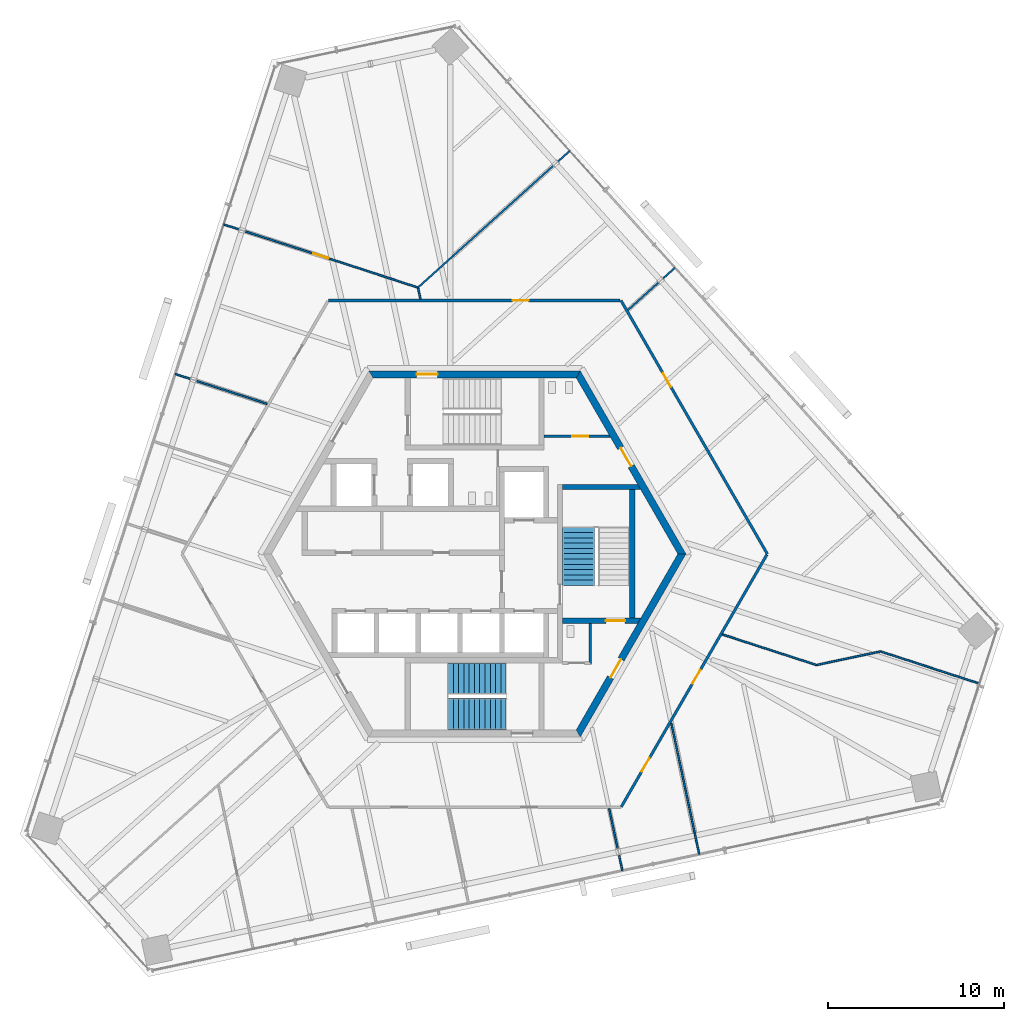
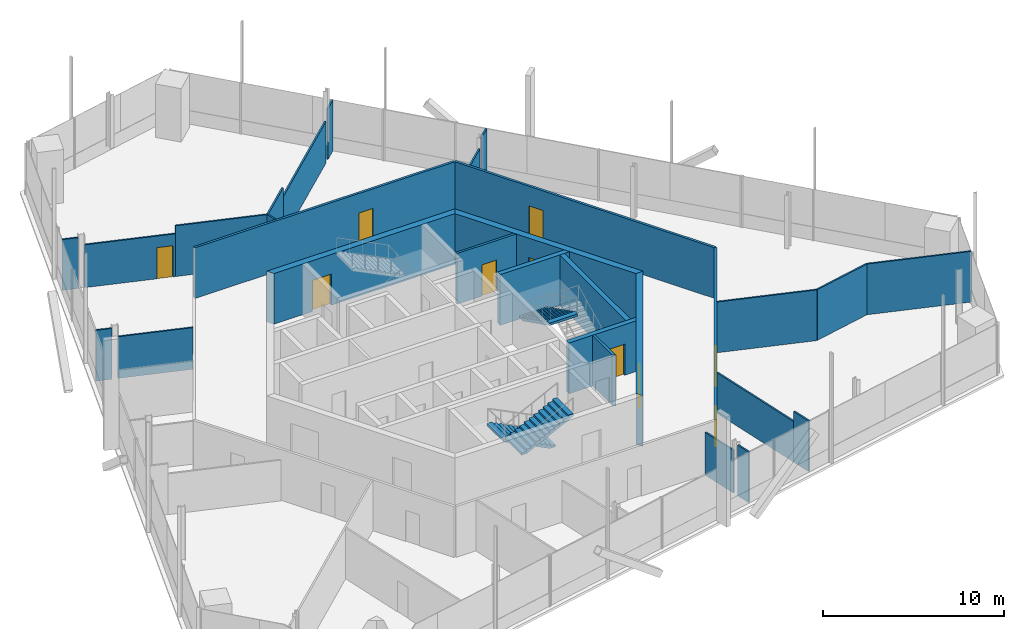
# One storey, part 12 of 17: 29 walls, 10 doors, 3 stair flights, 10 openings, 2 elements without a shape of their own.
"""IFC4 building model written with IfcOpenShell, lengths in metres."""

from ifc_helpers import new_model, si_unit, direction, frame, frame_2d, origin, place, context, subcontext, project, spatial, polyline, rectangle, outline, extrude, source, transform, mapped, material, layer, layer_set, type_object, element, fill, aggregate, save


model = new_model("IFC4")

# Units and contexts
model_context = context("Model", 3, precision=1e-05, world=origin(), true_north=direction((0.0, 1.0)))
body_context = subcontext(model_context, "Body", "Model", "MODEL_VIEW")
ifc_project = project(units=[si_unit("LENGTHUNIT", "METRE"), si_unit("AREAUNIT", "SQUARE_METRE"), si_unit("VOLUMEUNIT", "CUBIC_METRE"), si_unit("PLANEANGLEUNIT", "RADIAN"), si_unit("MASSUNIT", "GRAM", prefix="KILO")], contexts=[model_context])

# Site, building, storey
site_placement = place(None, origin())
site = spatial("IfcSite", under=ifc_project, at=site_placement, CompositionType="ELEMENT")
building_placement = place(site_placement, origin())
building = spatial("IfcBuilding", under=site, at=building_placement, Name="Triune Harvest Tower", CompositionType="ELEMENT")
storey_placement = place(building_placement, frame((0.0, 0.0, 281.10009765625)))
storey = spatial("IfcBuildingStorey", under=building, at=storey_placement, Name="L74", CompositionType="ELEMENT", Elevation=281.10009765625)

# Wall, opening, door
ifc_material_1 = material(Name="Concrete masonry unit", Category="masonry")
ifc_layer_1 = layer(ifc_material_1, 0.14990234375)
ifc_layer_set_1 = layer_set([ifc_layer_1], Name="Concrete masonry unit")
wall_type_1 = type_object("IfcWallType", Name="Block partition 150 unrated", PredefinedType="PARTITIONING", material=ifc_layer_set_1)
wall_1_placement = place(storey_placement, frame((3.949951171875, 6.675048828125, 0.0), z_axis=(0.0, 0.0, 1.0), x_axis=(1.0, 0.0, 0.0)))
wall_1 = element("IfcWall", 1, at=wall_1_placement, inside=storey, type_object=wall_type_1, Name="Wc women south wall", PredefinedType="PARTITIONING", context=body_context, shape_type="SweptSolid", body=[
    extrude(outline(polyline([(0.0, -0.074951171875), (0.0, 0.074951171875), (3.693359375, 0.074951171875), (3.77978515625, -0.074951171875), (0.0, -0.074951171875)])), origin(), (0.0, 0.0, 1.0), 3.419921875),
])
opening_1_placement = place(wall_1_placement, frame((1.60009765625, 0.0, 0.0)))
opening_1 = element("IfcOpeningElement", 2, at=opening_1_placement, cuts=wall_1, Name="Opening CD-WW", PredefinedType="OPENING", context=body_context, shape_type="SweptSolid", body=[
    extrude(rectangle(XDim=0.89990234375, YDim=2.10009765625, at=frame_2d((0.449951171875, 1.050048828125))), frame((0.0, 0.0849609375, 0.0), z_axis=(0.0, -1.0, 0.0), x_axis=(1.0, 0.0, 0.0)), (0.0, 0.0, 1.0), 0.169921875),
])
ifc_material_2 = material(Name="Timber C24", Category="wood")
door_type_1 = type_object("IfcDoorType", Name="WC door 900", OperationType="SINGLE_SWING_LEFT", PredefinedType="DOOR", material=ifc_material_2)
door_1_placement = place(opening_1_placement, origin())
door_1 = element("IfcDoor", 3, at=door_1_placement, inside=storey, type_object=door_type_1, Name="Door CD-WW", OperationType="SINGLE_SWING_LEFT", OverallHeight=2.10009765625, OverallWidth=0.89990234375, PredefinedType="DOOR", context=body_context, shape_type="SweptSolid", body=[
    extrude(rectangle(XDim=0.89990234375, YDim=2.10009765625, at=frame_2d((0.449951171875, 1.050048828125))), frame((0.0, 0.02490234375, 0.0), z_axis=(0.0, -1.0, 0.0), x_axis=(1.0, 0.0, 0.0)), (0.0, 0.0, 1.0), 0.050048828125),
])
fill(opening_1, door_1)

# Walls
wall_2_placement = place(storey_placement, frame((6.574951171875, -6.18994140625, 0.0), z_axis=(0.0, 0.0, 1.0), x_axis=(0.0, 1.0, 0.0)))
element("IfcWall", 4, at=wall_2_placement, inside=storey, type_object=wall_type_1, Name="Wc acc east wall", PredefinedType="PARTITIONING", context=body_context, shape_type="SweptSolid", body=[
    extrude(outline(polyline([(-0.074951171875, -0.074951171875), (2.239990234375, -0.074951171875), (2.239990234375, 0.074951171875), (0.074951171875, 0.074951171875), (-0.074951171875, -0.074951171875)])), origin(), (0.0, 0.0, 1.0), 3.419921875),
])
ifc_material_3 = material(Name="Concrete 70 MPa", Category="concrete")
ifc_layer_2 = layer(ifc_material_3, 0.300048828125)
ifc_layer_set_2 = layer_set([ifc_layer_2], Name="Concrete 70 MPa")
wall_type_2 = type_object("IfcWallType", Name="Core wall 300", PredefinedType="SHEAR", material=ifc_layer_set_2)
wall_3_placement = place(storey_placement, frame((5.0, 3.800048828125, 0.0), z_axis=(0.0, 0.0, 1.0), x_axis=(1.0, 0.0, 0.0)))
element("IfcWall", 5, at=wall_3_placement, inside=storey, type_object=wall_type_2, Name="Stair e north wall", PredefinedType="SHEAR", context=body_context, shape_type="SweptSolid", body=[
    extrude(outline(polyline([(0.0, -0.14990234375), (0.0, 0.14990234375), (4.260009765625, 0.14990234375), (4.43310546875, -0.14990234375), (0.0, -0.14990234375)])), origin(), (0.0, 0.0, 1.0), 3.419921875),
])

# Wall, opening, door
wall_4_placement = place(storey_placement, frame((5.0, -3.800048828125, 0.0), z_axis=(0.0, 0.0, 1.0), x_axis=(1.0, 0.0, 0.0)))
wall_4 = element("IfcWall", 6, at=wall_4_placement, inside=storey, type_object=wall_type_2, Name="Stair e south wall", PredefinedType="SHEAR", context=body_context, shape_type="SweptSolid", body=[
    extrude(outline(polyline([(0.0, -0.14990234375), (0.0, 0.14990234375), (4.43310546875, 0.14990234375), (4.260009765625, -0.14990234375), (0.0, -0.14990234375)])), origin(), (0.0, 0.0, 1.0), 3.419921875),
])
opening_2_placement = place(wall_4_placement, frame((2.449951171875, 0.0, 0.0)))
opening_2 = element("IfcOpeningElement", 7, at=opening_2_placement, cuts=wall_4, Name="Opening CD-S3D", PredefinedType="OPENING", context=body_context, shape_type="SweptSolid", body=[
    extrude(rectangle(XDim=1.10009765625, YDim=2.10009765625, at=frame_2d((0.550048828125, 1.050048828125))), frame((0.0, 0.16015625, 0.0), z_axis=(0.0, -1.0, 0.0), x_axis=(1.0, 0.0, 0.0)), (0.0, 0.0, 1.0), 0.320068359375),
])
ifc_material_4 = material(Name="Steel S235", Category="steel")
door_type_2 = type_object("IfcDoorType", Name="Stair door 1100 FD120", OperationType="SINGLE_SWING_LEFT", PredefinedType="DOOR", material=ifc_material_4)
door_2_placement = place(opening_2_placement, frame((1.10009765625, 0.0, 0.0), z_axis=(0.0, 0.0, 1.0), x_axis=(-1.0, 0.0, 0.0)))
door_2 = element("IfcDoor", 8, at=door_2_placement, inside=storey, type_object=door_type_2, Name="Door CD-S3D", OperationType="SINGLE_SWING_RIGHT", OverallHeight=2.10009765625, OverallWidth=1.10009765625, PredefinedType="DOOR", context=body_context, shape_type="SweptSolid", body=[
    extrude(rectangle(XDim=1.10009765625, YDim=2.10009765625, at=frame_2d((0.550048828125, 1.050048828125))), frame((0.0, 0.02490234375, 0.0), z_axis=(0.0, -1.0, 0.0), x_axis=(1.0, 0.0, 0.0)), (0.0, 0.0, 1.0), 0.050048828125),
])
fill(opening_2, door_2)

# Wall
wall_5_placement = place(storey_placement, frame((8.949951171875, -3.64990234375, 0.0), z_axis=(0.0, 0.0, 1.0), x_axis=(0.0, 1.0, 0.0)))
element("IfcWall", 9, at=wall_5_placement, inside=storey, type_object=wall_type_2, Name="Stair e east wall", PredefinedType="SHEAR", context=body_context, shape_type="SweptSolid", body=[
    extrude(rectangle(XDim=7.2998046875, YDim=0.300048828125, at=frame_2d((3.64990234375, 0.0))), origin(), (0.0, 0.0, 1.0), 3.419921875),
])

# Wall, opening, door
ifc_material_5 = material(Name="Gypsum board on steel studs", Category="steel")
ifc_layer_3 = layer(ifc_material_5, 0.14990234375)
ifc_layer_set_3 = layer_set([ifc_layer_3], Name="Gypsum board on steel studs")
wall_type_3 = type_object("IfcWallType", Name="Fire Partition 150 mm", PredefinedType="PARTITIONING", material=ifc_layer_set_3)
wall_6_placement = place(storey_placement, frame((8.30908203125, 14.392578125, 0.0), z_axis=(0.0, 0.0, 1.0), x_axis=(0.49998143435, -0.866036122402, 0.0)))
wall_6 = element("IfcWall", 10, at=wall_6_placement, inside=storey, type_object=wall_type_3, Name="Partition L74 010", PredefinedType="PARTITIONING", context=body_context, shape_type="SweptSolid", body=[
    extrude(rectangle(XDim=16.619873046875, YDim=0.14990234375, at=frame_2d((8.31005859375, 0.0))), origin(), (0.0, 0.0, 1.0), 3.419921875),
])
opening_3_placement = place(wall_6_placement, frame((4.764404296875, 0.0, 0.0)))
opening_3 = element("IfcOpeningElement", 11, at=opening_3_placement, cuts=wall_6, Name="Opening L74-001", PredefinedType="OPENING", context=body_context, shape_type="SweptSolid", body=[
    extrude(rectangle(XDim=0.89990234375, YDim=2.10009765625, at=frame_2d((0.449951171875, 1.050048828125))), frame((0.0, 0.0849609375, 0.0), z_axis=(0.0, -1.0, 0.0), x_axis=(1.0, 0.0, 0.0)), (0.0, 0.0, 1.0), 0.169921875),
])
ifc_material_6 = material(Name="Timber and steel door set", Category="steel")
door_type_3 = type_object("IfcDoorType", Name="Single leaf door FD30 left hand 900 x 2100", OperationType="SINGLE_SWING_LEFT", PredefinedType="DOOR", material=ifc_material_6)
door_3_placement = place(opening_3_placement, origin())
door_3 = element("IfcDoor", 12, at=door_3_placement, inside=storey, type_object=door_type_3, Name="Door L74-001 Executive Suite 74.01", OperationType="SINGLE_SWING_LEFT", OverallHeight=2.10009765625, OverallWidth=0.89990234375, PredefinedType="DOOR", context=body_context, shape_type="SweptSolid", body=[
    extrude(rectangle(XDim=0.89990234375, YDim=2.10009765625, at=frame_2d((0.449951171875, 1.050048828125))), frame((0.0, 0.02490234375, 0.0), z_axis=(0.0, -1.0, 0.0), x_axis=(1.0, 0.0, 0.0)), (0.0, 0.0, 1.0), 0.050048828125),
])
fill(opening_3, door_3)

wall_7_placement = place(storey_placement, frame((-8.309326171875, 14.392333984375, 0.0), z_axis=(0.0, 0.0, 1.0), x_axis=(1.0, 0.0, 0.0)))
wall_7 = element("IfcWall", 13, at=wall_7_placement, inside=storey, type_object=wall_type_3, Name="Partition L74 022", PredefinedType="PARTITIONING", context=body_context, shape_type="SweptSolid", body=[
    extrude(rectangle(XDim=16.56884765625, YDim=0.14990234375, at=frame_2d((8.284423828125, 0.0))), origin(), (0.0, 0.0, 1.0), 3.419921875),
])
opening_4_placement = place(wall_7_placement, frame((10.46875, 0.0, 0.0)))
opening_4 = element("IfcOpeningElement", 14, at=opening_4_placement, cuts=wall_7, Name="Opening L74-002", PredefinedType="OPENING", context=body_context, shape_type="SweptSolid", body=[
    extrude(rectangle(XDim=0.89990234375, YDim=2.10009765625, at=frame_2d((0.449951171875, 1.050048828125))), frame((0.0, 0.0849609375, 0.0), z_axis=(0.0, -1.0, 0.0), x_axis=(1.0, 0.0, 0.0)), (0.0, 0.0, 1.0), 0.169921875),
])
ifc_material_7 = material(Name="Timber and steel door set", Category="steel")
door_type_4 = type_object("IfcDoorType", Name="Single leaf door FD30 right hand 900 x 2100", OperationType="SINGLE_SWING_RIGHT", PredefinedType="DOOR", material=ifc_material_7)
door_4_placement = place(opening_4_placement, origin())
door_4 = element("IfcDoor", 15, at=door_4_placement, inside=storey, type_object=door_type_4, Name="Door L74-002 Office 74.02", OperationType="SINGLE_SWING_RIGHT", OverallHeight=2.10009765625, OverallWidth=0.89990234375, PredefinedType="DOOR", context=body_context, shape_type="SweptSolid", body=[
    extrude(rectangle(XDim=0.89990234375, YDim=2.10009765625, at=frame_2d((0.449951171875, 1.050048828125))), frame((0.0, 0.02490234375, 0.0), z_axis=(0.0, -1.0, 0.0), x_axis=(1.0, 0.0, 0.0)), (0.0, 0.0, 1.0), 0.050048828125),
])
fill(opening_4, door_4)

# Wall, openings, doors
wall_8_placement = place(storey_placement, frame((8.329345703125, -14.357666015625, 0.0), z_axis=(0.0, 0.0, 1.0), x_axis=(0.500004169409, 0.866022996562, 0.0)))
wall_8 = element("IfcWall", 16, at=wall_8_placement, inside=storey, type_object=wall_type_3, Name="Partition L74 030", PredefinedType="PARTITIONING", context=body_context, shape_type="SweptSolid", body=[
    extrude(rectangle(XDim=16.528564453125, YDim=0.14990234375, at=frame_2d((8.26416015625, 0.0))), origin(), (0.0, 0.0, 1.0), 3.419921875),
])
opening_5_placement = place(wall_8_placement, frame((2.31005859375, 0.0, 0.0)))
opening_5 = element("IfcOpeningElement", 17, at=opening_5_placement, cuts=wall_8, Name="Opening L74-013", PredefinedType="OPENING", context=body_context, shape_type="SweptSolid", body=[
    extrude(rectangle(XDim=0.89990234375, YDim=2.10009765625, at=frame_2d((0.449951171875, 1.050048828125))), frame((0.0, 0.0849609375, 0.0), z_axis=(0.0, -1.0, 0.0), x_axis=(1.0, 0.0, 0.0)), (0.0, 0.0, 1.0), 0.169921875),
])
opening_6_placement = place(wall_8_placement, frame((8.077880859375, 0.0, 0.0)))
opening_6 = element("IfcOpeningElement", 18, at=opening_6_placement, cuts=wall_8, Name="Opening L74-014", PredefinedType="OPENING", context=body_context, shape_type="SweptSolid", body=[
    extrude(rectangle(XDim=0.89990234375, YDim=2.10009765625, at=frame_2d((0.449951171875, 1.050048828125))), frame((0.0, 0.0849609375, 0.0), z_axis=(0.0, -1.0, 0.0), x_axis=(1.0, 0.0, 0.0)), (0.0, 0.0, 1.0), 0.169921875),
])
door_5_placement = place(opening_6_placement, origin())
door_5 = element("IfcDoor", 19, at=door_5_placement, inside=storey, type_object=door_type_3, Name="Door L74-014 Office 74.14", OperationType="SINGLE_SWING_LEFT", OverallHeight=2.10009765625, OverallWidth=0.89990234375, PredefinedType="DOOR", context=body_context, shape_type="SweptSolid", body=[
    extrude(rectangle(XDim=0.89990234375, YDim=2.10009765625, at=frame_2d((0.449951171875, 1.050048828125))), frame((0.0, 0.02490234375, 0.0), z_axis=(0.0, -1.0, 0.0), x_axis=(1.0, 0.0, 0.0)), (0.0, 0.0, 1.0), 0.050048828125),
])
fill(opening_6, door_5)
door_6_placement = place(opening_5_placement, origin())
door_6 = element("IfcDoor", 20, at=door_6_placement, inside=storey, type_object=door_type_4, Name="Door L74-013 Office 74.13", OperationType="SINGLE_SWING_RIGHT", OverallHeight=2.10009765625, OverallWidth=0.89990234375, PredefinedType="DOOR", context=body_context, shape_type="SweptSolid", body=[
    extrude(rectangle(XDim=0.89990234375, YDim=2.10009765625, at=frame_2d((0.449951171875, 1.050048828125))), frame((0.0, 0.02490234375, 0.0), z_axis=(0.0, -1.0, 0.0), x_axis=(1.0, 0.0, 0.0)), (0.0, 0.0, 1.0), 0.050048828125),
])
fill(opening_5, door_6)

# Walls
ifc_material_8 = material(Name="Gypsum board on steel studs", Category="steel")
ifc_layer_4 = layer(ifc_material_8, 0.10009765625)
ifc_layer_set_4 = layer_set([ifc_layer_4], Name="Gypsum board on steel studs")
wall_type_4 = type_object("IfcWallType", Name="Partition 100 mm", PredefinedType="PARTITIONING", material=ifc_layer_set_4)
wall_9_placement = place(storey_placement, frame((-3.2109375, 15.106201171875, 0.0), z_axis=(0.0, 0.0, 1.0), x_axis=(0.207911850433, -0.978147566806, 0.0)))
element("IfcWall", 21, at=wall_9_placement, inside=storey, type_object=wall_type_4, Name="Partition L74 005", PredefinedType="PARTITIONING", context=body_context, shape_type="SweptSolid", body=[
    extrude(rectangle(XDim=0.659912109375, YDim=0.10009765625, at=frame_2d((0.330078125, 0.0))), origin(), (0.0, 0.0, 1.0), 3.419921875),
])
wall_10_placement = place(storey_placement, frame((7.6376953125, -14.461181640625, 0.0), z_axis=(0.0, 0.0, 1.0), x_axis=(0.207954797285, -0.978138437179, 0.0)))
element("IfcWall", 22, at=wall_10_placement, inside=storey, type_object=wall_type_4, Name="Partition L74 006", PredefinedType="PARTITIONING", context=body_context, shape_type="SweptSolid", body=[
    extrude(rectangle(XDim=2.341064453125, YDim=0.10009765625, at=frame_2d((1.17041015625, 0.0))), origin(), (0.0, 0.0, 1.0), 2.8837890625),
])
wall_11_placement = place(storey_placement, frame((8.1953125, -17.083984375, 0.0), z_axis=(0.0, 0.0, 1.0), x_axis=(0.207852373529, -0.978160207133, 0.0)))
element("IfcWall", 23, at=wall_11_placement, inside=storey, type_object=wall_type_4, Name="Partition L74 007", PredefinedType="PARTITIONING", context=body_context, shape_type="SweptSolid", body=[
    extrude(rectangle(XDim=0.9150390625, YDim=0.10009765625, at=frame_2d((0.45751953125, 0.0))), origin(), (0.0, 0.0, 1.0), 3.419921875),
])
wall_12_placement = place(storey_placement, frame((12.494384765625, -15.84033203125, 0.0), z_axis=(0.0, 0.0, 1.0), x_axis=(0.208047433175, -0.97811873796, 0.0)))
element("IfcWall", 24, at=wall_12_placement, inside=storey, type_object=wall_type_4, Name="Partition L74 008a", PredefinedType="PARTITIONING", context=body_context, shape_type="SweptSolid", body=[
    extrude(rectangle(XDim=1.238037109375, YDim=0.10009765625, at=frame_2d((0.619140625, 0.0))), origin(), (0.0, 0.0, 1.0), 3.419921875),
])
wall_13_placement = place(storey_placement, frame((14.060302734375, -4.568359375, 0.0), z_axis=(0.0, 0.0, 1.0), x_axis=(0.951053501337, -0.309026273307, 0.0)))
element("IfcWall", 25, at=wall_13_placement, inside=storey, type_object=wall_type_4, Name="Partition L74 014", PredefinedType="PARTITIONING", context=body_context, shape_type="SweptSolid", body=[
    extrude(rectangle(XDim=5.63134765625, YDim=0.10009765625, at=frame_2d((2.815673828125, 0.0))), origin(), (0.0, 0.0, 1.0), 3.419921875),
])
wall_14_placement = place(storey_placement, frame((23.046875, -5.536865234375, 0.0), z_axis=(0.0, 0.0, 1.0), x_axis=(0.951061094762, -0.309002902948, 0.0)))
element("IfcWall", 26, at=wall_14_placement, inside=storey, type_object=wall_type_4, Name="Partition L74 016", PredefinedType="PARTITIONING", context=body_context, shape_type="SweptSolid", body=[
    extrude(rectangle(XDim=5.907470703125, YDim=0.10009765625, at=frame_2d((2.95361328125, 0.0))), origin(), (0.0, 0.0, 1.0), 3.419921875),
])

# Wall, opening, door
wall_15_placement = place(storey_placement, frame((-13.051025390625, 18.32177734375, 0.0), z_axis=(0.0, 0.0, 1.0), x_axis=(0.951063024671, -0.308996962935, 0.0)))
wall_15 = element("IfcWall", 27, at=wall_15_placement, inside=storey, type_object=wall_type_4, Name="Partition L74 020", PredefinedType="PARTITIONING", context=body_context, shape_type="SweptSolid", body=[
    extrude(rectangle(XDim=5.14208984375, YDim=0.10009765625, at=frame_2d((2.571044921875, 0.0))), origin(), (0.0, 0.0, 1.0), 2.8837890625),
])
opening_7_placement = place(wall_15_placement, frame((4.092041015625, 0.0, 0.0)))
opening_7 = element("IfcOpeningElement", 28, at=opening_7_placement, cuts=wall_15, Name="Opening L74-003", PredefinedType="OPENING", context=body_context, shape_type="SweptSolid", body=[
    extrude(rectangle(XDim=0.89990234375, YDim=2.10009765625, at=frame_2d((0.449951171875, 1.050048828125))), frame((0.0, 0.06005859375, 0.0), z_axis=(0.0, -1.0, 0.0), x_axis=(1.0, 0.0, 0.0)), (0.0, 0.0, 1.0), 0.1201171875),
])
ifc_material_9 = material(Name="Timber and steel door set", Category="steel")
door_type_5 = type_object("IfcDoorType", Name="Single leaf door left hand 900 x 2100", OperationType="SINGLE_SWING_LEFT", PredefinedType="DOOR", material=ifc_material_9)
door_7_placement = place(opening_7_placement, origin())
door_7 = element("IfcDoor", 29, at=door_7_placement, inside=storey, type_object=door_type_5, Name="Door L74-003 Reception 74.03", OperationType="SINGLE_SWING_LEFT", OverallHeight=2.10009765625, OverallWidth=0.89990234375, PredefinedType="DOOR", context=body_context, shape_type="SweptSolid", body=[
    extrude(rectangle(XDim=0.89990234375, YDim=2.10009765625, at=frame_2d((0.449951171875, 1.050048828125))), frame((0.0, 0.02490234375, 0.0), z_axis=(0.0, -1.0, 0.0), x_axis=(1.0, 0.0, 0.0)), (0.0, 0.0, 1.0), 0.050048828125),
])
fill(opening_7, door_7)

# Walls
wall_16_placement = place(storey_placement, frame((-8.16064453125, 16.73291015625, 0.0), z_axis=(0.0, 0.0, 1.0), x_axis=(0.951050346019, -0.309035983887, 0.0)))
element("IfcWall", 30, at=wall_16_placement, inside=storey, type_object=wall_type_4, Name="Partition L74 020a", PredefinedType="PARTITIONING", context=body_context, shape_type="SweptSolid", body=[
    extrude(rectangle(XDim=5.18017578125, YDim=0.10009765625, at=frame_2d((2.590087890625, 0.0))), origin(), (0.0, 0.0, 1.0), 3.419921875),
])
wall_17_placement = place(storey_placement, frame((19.42578125, -6.306640625, 0.0), z_axis=(0.0, 0.0, 1.0), x_axis=(0.97813598907, 0.2079663119, 0.0)))
element("IfcWall", 31, at=wall_17_placement, inside=storey, type_object=wall_type_4, Name="Partition L74 023", PredefinedType="PARTITIONING", context=body_context, shape_type="SweptSolid", body=[
    extrude(rectangle(XDim=3.692138671875, YDim=0.10009765625, at=frame_2d((1.84619140625, 0.0))), origin(), (0.0, 0.0, 1.0), 3.419921875),
])
wall_18_placement = place(storey_placement, frame((-3.215087890625, 15.125732421875, 0.0), z_axis=(0.0, 0.0, 1.0), x_axis=(0.743140047759, 0.669135912515, 0.0)))
element("IfcWall", 32, at=wall_18_placement, inside=storey, type_object=wall_type_4, Name="Partition L74 028", PredefinedType="PARTITIONING", context=body_context, shape_type="SweptSolid", body=[
    extrude(rectangle(XDim=2.6787109375, YDim=0.10009765625, at=frame_2d((1.33935546875, 0.0))), origin(), (0.0, 0.0, 1.0), 3.419921875),
])
wall_19_placement = place(storey_placement, frame((-1.224365234375, 16.918212890625, 0.0), z_axis=(0.0, 0.0, 1.0), x_axis=(0.743156312941, 0.669117848018, 0.0)))
element("IfcWall", 33, at=wall_19_placement, inside=storey, type_object=wall_type_4, Name="Partition L74 028a", PredefinedType="PARTITIONING", context=body_context, shape_type="SweptSolid", body=[
    extrude(rectangle(XDim=7.663330078125, YDim=0.10009765625, at=frame_2d((3.83154296875, 0.0))), origin(), (0.0, 0.0, 1.0), 2.8076171875),
])

# Wall, opening, door
ifc_material_10 = material(Name="Concrete 70 MPa", Category="concrete")
ifc_layer_5 = layer(ifc_material_10, 0.39990234375)
ifc_layer_set_5 = layer_set([ifc_layer_5], Name="Concrete 70 MPa")
wall_type_5 = type_object("IfcWallType", Name="Core wall 400", PredefinedType="SHEAR", material=ifc_layer_set_5)
shared_shape_1 = source(origin(), body_context, "Body", "SweptSolid", [
    extrude(outline(polyline([(-0.115478515625, -0.199951171875), (11.884521484375, -0.199951171875), (11.653564453125, 0.199951171875), (0.115478515625, 0.199951171875), (-0.115478515625, -0.199951171875)])), origin(), (0.0, 0.0, 1.0), 3.419921875),
])
wall_20_placement = place(storey_placement, frame((11.76904296875, 0.0, 0.0), z_axis=(0.0, 0.0, 1.0), x_axis=(-0.499996592174, 0.866027371285, 0.0)))
wall_20 = element("IfcWall", 34, at=wall_20_placement, inside=storey, type_object=wall_type_5, Name="Hexagon 0 wall", PredefinedType="SHEAR", context=body_context, shape_type="MappedRepresentation", body=[
    mapped(shared_shape_1, transform((0.0, 0.0, 0.0), scale=1.0)),
])
opening_8_placement = place(wall_20_placement, frame((5.75048828125, 0.0, 0.0)))
opening_8 = element("IfcOpeningElement", 35, at=opening_8_placement, cuts=wall_20, Name="Opening CD-WCP", PredefinedType="OPENING", context=body_context, shape_type="SweptSolid", body=[
    extrude(rectangle(XDim=1.199951171875, YDim=2.10009765625, at=frame_2d((0.60009765625, 1.050048828125))), frame((0.0, 0.2099609375, 0.0), z_axis=(0.0, -1.0, 0.0), x_axis=(1.0, 0.0, 0.0)), (0.0, 0.0, 1.0), 0.419921875),
])
ifc_material_11 = material(Name="Steel S235", Category="steel")
door_type_6 = type_object("IfcDoorType", Name="Lobby door 1200 FD120", OperationType="SINGLE_SWING_LEFT", PredefinedType="DOOR", material=ifc_material_11)
door_8_placement = place(opening_8_placement, frame((1.199951171875, 0.0, 0.0), z_axis=(0.0, 0.0, 1.0), x_axis=(-1.0, 0.0, 0.0)))
door_8 = element("IfcDoor", 36, at=door_8_placement, inside=storey, type_object=door_type_6, Name="Door CD-WCP", OperationType="SINGLE_SWING_RIGHT", OverallHeight=2.10009765625, OverallWidth=1.199951171875, PredefinedType="DOOR", context=body_context, shape_type="SweptSolid", body=[
    extrude(rectangle(XDim=1.199951171875, YDim=2.10009765625, at=frame_2d((0.60009765625, 1.050048828125))), frame((0.0, 0.02490234375, 0.0), z_axis=(0.0, -1.0, 0.0), x_axis=(1.0, 0.0, 0.0)), (0.0, 0.0, 1.0), 0.050048828125),
])
fill(opening_8, door_8)

wall_21_placement = place(storey_placement, frame((5.884521484375, 10.1923828125, 0.0), z_axis=(0.0, 0.0, 1.0), x_axis=(-1.0, 0.0, 0.0)))
wall_21 = element("IfcWall", 37, at=wall_21_placement, inside=storey, type_object=wall_type_5, Name="Hexagon 1 wall", PredefinedType="SHEAR", context=body_context, shape_type="MappedRepresentation", body=[
    mapped(shared_shape_1, transform((0.0, 0.0, 0.0), scale=1.0)),
])
opening_9_placement = place(wall_21_placement, frame((7.984619140625, 0.0, 0.0)))
opening_9 = element("IfcOpeningElement", 38, at=opening_9_placement, cuts=wall_21, Name="Opening CD-S1P", PredefinedType="OPENING", context=body_context, shape_type="SweptSolid", body=[
    extrude(rectangle(XDim=1.199951171875, YDim=2.10009765625, at=frame_2d((0.60009765625, 1.050048828125))), frame((0.0, 0.2099609375, 0.0), z_axis=(0.0, -1.0, 0.0), x_axis=(1.0, 0.0, 0.0)), (0.0, 0.0, 1.0), 0.419921875),
])
ifc_material_12 = material(Name="Steel S235", Category="steel")
door_type_7 = type_object("IfcDoorType", Name="Stair door 1200 FD120", OperationType="SINGLE_SWING_LEFT", PredefinedType="DOOR", material=ifc_material_12)
door_9_placement = place(opening_9_placement, frame((1.199951171875, 0.0, 0.0), z_axis=(0.0, 0.0, 1.0), x_axis=(-1.0, 0.0, 0.0)))
door_9 = element("IfcDoor", 39, at=door_9_placement, inside=storey, type_object=door_type_7, Name="Door CD-S1P", OperationType="SINGLE_SWING_RIGHT", OverallHeight=2.10009765625, OverallWidth=1.199951171875, PredefinedType="DOOR", context=body_context, shape_type="SweptSolid", body=[
    extrude(rectangle(XDim=1.199951171875, YDim=2.10009765625, at=frame_2d((0.60009765625, 1.050048828125))), frame((0.0, 0.02490234375, 0.0), z_axis=(0.0, -1.0, 0.0), x_axis=(1.0, 0.0, 0.0)), (0.0, 0.0, 1.0), 0.050048828125),
])
fill(opening_9, door_9)

wall_22_placement = place(storey_placement, frame((5.884521484375, -10.1923828125, 0.0), z_axis=(0.0, 0.0, 1.0), x_axis=(0.499996592174, 0.866027371285, 0.0)))
wall_22 = element("IfcWall", 40, at=wall_22_placement, inside=storey, type_object=wall_type_5, Name="Hexagon 5 wall", PredefinedType="SHEAR", context=body_context, shape_type="MappedRepresentation", body=[
    mapped(shared_shape_1, transform((0.0, 0.0, 0.0), scale=1.0)),
])
opening_10_placement = place(wall_22_placement, frame((3.66455078125, 0.0, 0.0)))
opening_10 = element("IfcOpeningElement", 41, at=opening_10_placement, cuts=wall_22, Name="Opening CD-DP", PredefinedType="OPENING", context=body_context, shape_type="SweptSolid", body=[
    extrude(rectangle(XDim=1.199951171875, YDim=2.10009765625, at=frame_2d((0.60009765625, 1.050048828125))), frame((0.0, 0.2099609375, 0.0), z_axis=(0.0, -1.0, 0.0), x_axis=(1.0, 0.0, 0.0)), (0.0, 0.0, 1.0), 0.419921875),
])
door_10_placement = place(opening_10_placement, frame((1.199951171875, 0.0, 0.0), z_axis=(0.0, 0.0, 1.0), x_axis=(-1.0, 0.0, 0.0)))
door_10 = element("IfcDoor", 42, at=door_10_placement, inside=storey, type_object=door_type_7, Name="Door CD-DP", OperationType="SINGLE_SWING_RIGHT", OverallHeight=2.10009765625, OverallWidth=1.199951171875, PredefinedType="DOOR", context=body_context, shape_type="SweptSolid", body=[
    extrude(rectangle(XDim=1.199951171875, YDim=2.10009765625, at=frame_2d((0.60009765625, 1.050048828125))), frame((0.0, 0.02490234375, 0.0), z_axis=(0.0, -1.0, 0.0), x_axis=(1.0, 0.0, 0.0)), (0.0, 0.0, 1.0), 0.050048828125),
])
fill(opening_10, door_10)

# Walls
shared_shape_2 = source(origin(), body_context, "Body", "SweptSolid", [
    extrude(rectangle(XDim=4.239013671875, YDim=0.10009765625, at=frame_2d((2.11962890625, 0.0))), origin(), (0.0, 0.0, 1.0), 2.8076171875),
])
wall_23_placement = place(storey_placement, frame((-15.809814453125, 9.830810546875, 0.0), z_axis=(0.0, 0.0, 1.0), x_axis=(0.951046342069, -0.309048305671, 0.0)))
element("IfcWall", 43, at=wall_23_placement, inside=storey, type_object=wall_type_4, Name="Partition L74 018", PredefinedType="PARTITIONING", context=body_context, shape_type="MappedRepresentation", body=[
    mapped(shared_shape_2, transform((0.0, 0.0, 0.0), scale=1.0)),
])
shared_shape_3 = source(origin(), body_context, "Body", "SweptSolid", [
    extrude(rectangle(XDim=0.91552734375, YDim=0.10009765625, at=frame_2d((0.457763671875, 0.0))), origin(), (0.0, 0.0, 1.0), 3.419921875),
])
wall_24_placement = place(storey_placement, frame((-14.24560546875, 18.7099609375, 0.0), z_axis=(0.0, 0.0, 1.0), x_axis=(0.951030148904, -0.309098133084, 0.0)))
element("IfcWall", 44, at=wall_24_placement, inside=storey, type_object=wall_type_4, Name="Partition L74 019", PredefinedType="PARTITIONING", context=body_context, shape_type="MappedRepresentation", body=[
    mapped(shared_shape_3, transform((0.0, 0.0, 0.0), scale=1.0)),
])
shared_shape_4 = source(origin(), body_context, "Body", "SweptSolid", [
    extrude(rectangle(XDim=6.358642578125, YDim=0.10009765625, at=frame_2d((3.17919921875, 0.0))), origin(), (0.0, 0.0, 1.0), 2.73681640625),
])
wall_25_placement = place(storey_placement, frame((11.17236328125, -9.62060546875, 0.0), z_axis=(0.0, 0.0, 1.0), x_axis=(0.207908349196, -0.978148311011, 0.0)))
element("IfcWall", 45, at=wall_25_placement, inside=storey, type_object=wall_type_4, Name="Partition L74 008", PredefinedType="PARTITIONING", context=body_context, shape_type="MappedRepresentation", body=[
    mapped(shared_shape_4, transform((0.0, 0.0, 0.0), scale=1.0)),
])
shared_shape_5 = source(origin(), body_context, "Body", "SweptSolid", [
    extrude(rectangle(XDim=0.915283203125, YDim=0.10009765625, at=frame_2d((0.45751953125, 0.0))), origin(), (0.0, 0.0, 1.0), 3.419921875),
])
for number, where, z_axis, x_axis, name in (
    (46, (-17.00439453125, 10.21875, 0.0), (0.0, 0.0, 1.0), (0.951108522522, -0.308856889815, 0.0), "Partition L74 017"),
    (47, (10.69775390625, 15.63916015625, 0.0), (0.0, 0.0, 1.0), (0.743081911728, 0.669200472551, 0.0), "Partition L74 027"),
    (48, (4.723876953125, 22.27392578125, 0.0), (0.0, 0.0, 1.0), (0.743081911728, 0.669200472551, 0.0), "Partition L74 029"),
):
    element("IfcWall", number, at=place(storey_placement, frame(where, z_axis=z_axis, x_axis=x_axis)), inside=storey, type_object=wall_type_4, Name=name, PredefinedType="PARTITIONING", context=body_context, shape_type="MappedRepresentation", body=[
        mapped(shared_shape_5, transform((0.0, 0.0, 0.0), scale=1.0)),
    ])
shared_shape_6 = source(origin(), body_context, "Body", "SweptSolid", [
    extrude(rectangle(XDim=2.34130859375, YDim=0.10009765625, at=frame_2d((1.170654296875, 0.0))), origin(), (0.0, 0.0, 1.0), 2.8837890625),
])
wall_26_placement = place(storey_placement, frame((8.70458984375, 13.844482421875, 0.0), z_axis=(0.0, 0.0, 1.0), x_axis=(0.743154139061, 0.669120262432, 0.0)))
element("IfcWall", 49, at=wall_26_placement, inside=storey, type_object=wall_type_4, Name="Partition L74 026", PredefinedType="PARTITIONING", context=body_context, shape_type="MappedRepresentation", body=[
    mapped(shared_shape_6, transform((0.0, 0.0, 0.0), scale=1.0)),
])

# Stair, stair flights
ifc_material_13 = material(Name="Concrete 40 MPa", Category="concrete")
stair_type = type_object("IfcStairType", Name="Exit stair 1800 half turn", PredefinedType="HALF_TURN_STAIR", material=ifc_material_13)
stair_1_placement = place(storey_placement, origin())
stair_1 = element("IfcStair", 50, at=stair_1_placement, inside=storey, type_object=stair_type, Name="Exit stair south", PredefinedType="HALF_TURN_STAIR")
ifc_material_14 = material(Name="Concrete 40 MPa", Category="concrete")
stair_flight_type = type_object("IfcStairFlightType", Name="Stair flight 1800", PredefinedType="STRAIGHT", material=ifc_material_14)
shared_shape_7 = source(origin(), body_context, "Body", "SweptSolid", [
    extrude(outline(polyline([(0.0, 0.0), (0.0, 0.14990234375), (0.300048828125, 0.14990234375), (0.300048828125, 0.300048828125), (0.60009765625, 0.300048828125), (0.60009765625, 0.449951171875), (0.89990234375, 0.449951171875), (0.89990234375, 0.60009765625), (1.199951171875, 0.60009765625), (1.199951171875, 0.75), (1.5, 0.75), (1.5, 0.89990234375), (1.800048828125, 0.89990234375), (1.800048828125, 1.050048828125), (2.10009765625, 1.050048828125), (2.10009765625, 1.199951171875), (2.39990234375, 1.199951171875), (2.39990234375, 1.35009765625), (2.699951171875, 1.35009765625), (2.699951171875, 1.5), (3.0, 1.5), (3.0, 1.64990234375), (3.300048828125, 1.64990234375), (3.300048828125, 1.800048828125), (3.300048828125, 1.482421875), (0.335205078125, 0.0), (0.0, 0.0)])), frame((0.0, 0.89990234375, 0.0), z_axis=(0.0, -1.0, 0.0), x_axis=(1.0, 0.0, 0.0)), (0.0, 0.0, 1.0), 1.800048828125),
])
stair_flight_1_placement = place(storey_placement, frame((1.7900390625, -7.090087890625, 0.0), z_axis=(0.0, 0.0, 1.0), x_axis=(-1.0, 0.0, 0.0)))
stair_flight_1 = element("IfcStairFlight", 51, at=stair_flight_1_placement, type_object=stair_flight_type, Name="ST-2 flight 1", NumberOfRisers=12, NumberOfTreads=11, PredefinedType="STRAIGHT", RiserHeight=0.15, TreadLength=0.3, context=body_context, shape_type="MappedRepresentation", body=[
    mapped(shared_shape_7, transform((0.0, 0.0, 0.0), scale=1.0)),
])
stair_flight_2_placement = place(storey_placement, frame((-1.510009765625, -9.090087890625, 1.7998046875), z_axis=(0.0, 0.0, 1.0), x_axis=(1.0, 0.0, 0.0)))
stair_flight_2 = element("IfcStairFlight", 52, at=stair_flight_2_placement, type_object=stair_flight_type, Name="ST-2 flight 2", NumberOfRisers=12, NumberOfTreads=11, PredefinedType="STRAIGHT", RiserHeight=0.15, TreadLength=0.3, context=body_context, shape_type="MappedRepresentation", body=[
    mapped(shared_shape_7, transform((0.0, 0.0, 0.0), scale=1.0)),
])
aggregate(stair_1, [stair_flight_1, stair_flight_2])

# Stair, stair flight
stair_2_placement = place(storey_placement, origin())
stair_2 = element("IfcStair", 53, at=stair_2_placement, inside=storey, type_object=stair_type, Name="Exit stair east", PredefinedType="HALF_TURN_STAIR")
stair_flight_3_placement = place(storey_placement, frame((5.89990234375, 1.510009765625, 1.7998046875), z_axis=(0.0, 0.0, 1.0), x_axis=(0.0, -1.0, 0.0)))
stair_flight_3 = element("IfcStairFlight", 54, at=stair_flight_3_placement, type_object=stair_flight_type, Name="ST-3 flight 2", NumberOfRisers=12, NumberOfTreads=11, PredefinedType="STRAIGHT", RiserHeight=0.15, TreadLength=0.3, context=body_context, shape_type="MappedRepresentation", body=[
    mapped(shared_shape_7, transform((0.0, 0.0, 0.0), scale=1.0)),
])
aggregate(stair_2, [stair_flight_3])

save(model, "model.ifc")
